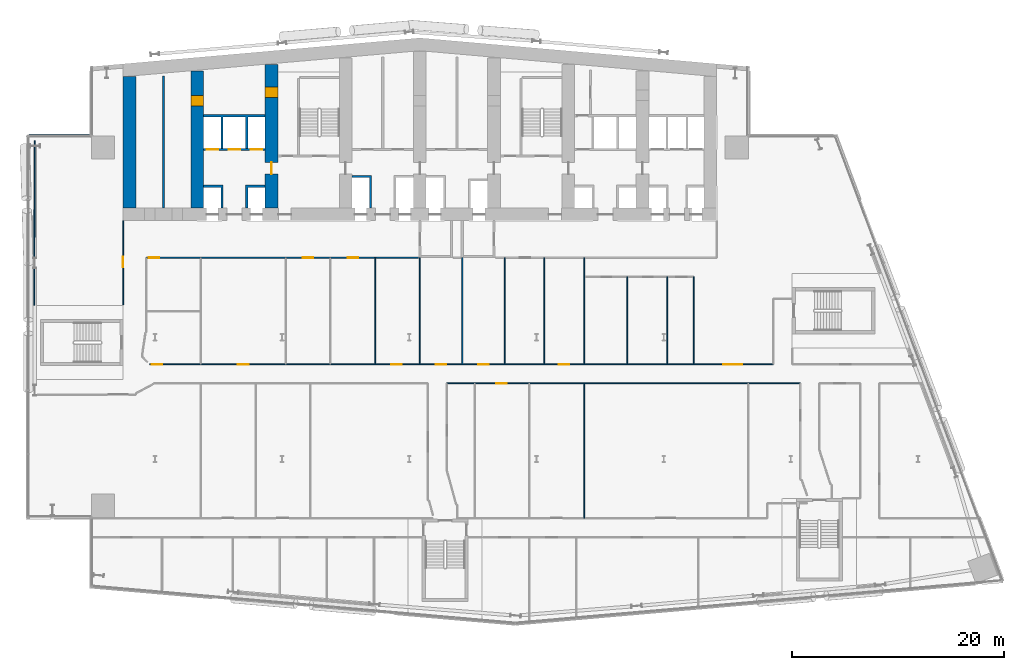
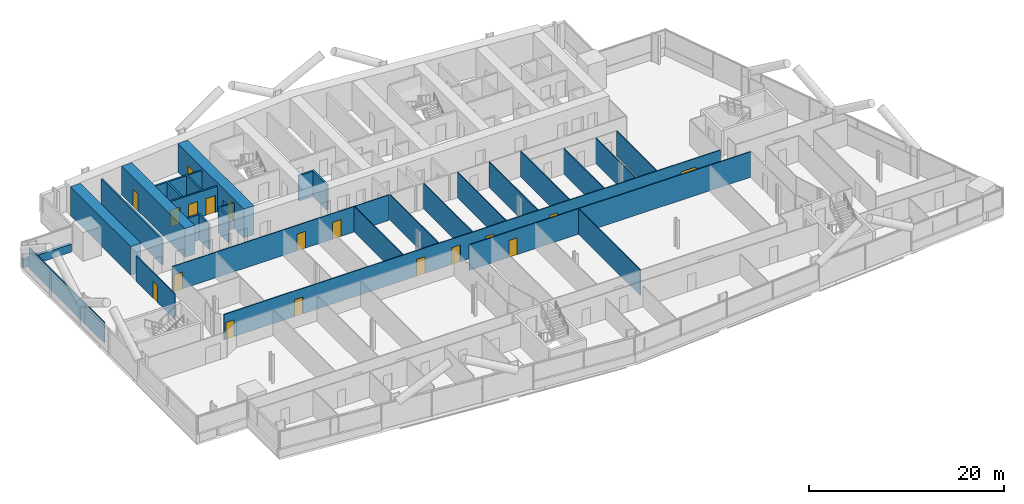
# One storey, part 16 of 28: 26 walls, 18 doors, 18 openings.
"""IFC4 building model written with IfcOpenShell, lengths in metres."""

from ifc_helpers import new_model, si_unit, direction, frame, frame_2d, origin, place, context, subcontext, project, spatial, polyline, rectangle, outline, extrude, material, layer, layer_set, type_object, element, fill, save


model = new_model("IFC4")

# Units and contexts
model_context = context("Model", 3, precision=1e-05, world=origin(), true_north=direction((0.0, 1.0)))
body_context = subcontext(model_context, "Body", "Model", "MODEL_VIEW")
ifc_project = project(units=[si_unit("LENGTHUNIT", "METRE"), si_unit("AREAUNIT", "SQUARE_METRE"), si_unit("VOLUMEUNIT", "CUBIC_METRE"), si_unit("PLANEANGLEUNIT", "RADIAN"), si_unit("MASSUNIT", "GRAM", prefix="KILO")], contexts=[model_context])

# Site, building, storey
site_placement = place(None, origin())
site = spatial("IfcSite", under=ifc_project, at=site_placement, CompositionType="ELEMENT")
building_placement = place(site_placement, origin())
building = spatial("IfcBuilding", under=site, at=building_placement, Name="Wharfspan Tower", CompositionType="ELEMENT")
storey_placement = place(building_placement, frame((0.0, 0.0, 59.5)))
storey = spatial("IfcBuildingStorey", under=building, at=storey_placement, Name="L11", CompositionType="ELEMENT", Elevation=59.5)

# Wall, opening, door
ifc_material_1 = material(Name="Gypsum board on steel studs", Category="steel")
ifc_layer_1 = layer(ifc_material_1, 0.100098)
ifc_layer_set_1 = layer_set([ifc_layer_1], Name="Gypsum board on steel studs")
wall_type_1 = type_object("IfcWallType", Name="Compartment wall 100 EI 60", PredefinedType="PARTITIONING", material=ifc_layer_set_1)
wall_1_placement = place(storey_placement, frame((9.0, 26.050049, 0.0), z_axis=(0.0, 0.0, 1.0), x_axis=(0.0, 1.0, 0.0)))
wall_1 = element("IfcWall", 1, at=wall_1_placement, inside=storey, type_object=wall_type_1, Name="Partition L11.w006", PredefinedType="PARTITIONING", context=body_context, shape_type="SweptSolid", body=[
    extrude(rectangle(XDim=7.929932, YDim=0.100098, at=frame_2d((3.964844, 0.0))), origin(), (0.0, 0.0, 1.0), 3.199951),
])
opening_1_placement = place(wall_1_placement, frame((3.530029, 0.0, 0.0)))
opening_1 = element("IfcOpeningElement", 2, at=opening_1_placement, cuts=wall_1, Name="Opening A2-35", PredefinedType="OPENING", context=body_context, shape_type="SweptSolid", body=[
    extrude(rectangle(XDim=1.0, YDim=2.100098, at=frame_2d((0.5, 1.050049))), frame((0.0, 0.060059, 0.0), z_axis=(0.0, -1.0, 0.0), x_axis=(1.0, 0.0, 0.0)), (0.0, 0.0, 1.0), 0.120117),
])
ifc_material_2 = material(Name="Fire-rated timber door leaf in steel frame", Category="steel")
door_type_1 = type_object("IfcDoorType", Name="Door 1000 FD30S Right", OperationType="SINGLE_SWING_RIGHT", PredefinedType="DOOR", material=ifc_material_2)
door_1_placement = place(opening_1_placement, origin())
door_1 = element("IfcDoor", 3, at=door_1_placement, inside=storey, type_object=door_type_1, Name="Door A2-35", OperationType="SINGLE_SWING_RIGHT", OverallHeight=2.100098, OverallWidth=1.0, PredefinedType="DOOR", context=body_context, shape_type="SweptSolid", body=[
    extrude(rectangle(XDim=1.0, YDim=2.100098, at=frame_2d((0.5, 1.050049))), frame((0.0, 0.024902, 0.0), z_axis=(0.0, -1.0, 0.0), x_axis=(1.0, 0.0, 0.0)), (0.0, 0.0, 1.0), 0.050049),
])
fill(opening_1, door_1)

# Wall, openings, doors
wall_2_placement = place(storey_placement, frame((11.199951, 30.5, 0.0), z_axis=(0.0, 0.0, 1.0), x_axis=(1.0, 0.0, 0.0)))
wall_2 = element("IfcWall", 4, at=wall_2_placement, inside=storey, type_object=wall_type_1, Name="Partition L11.w015", PredefinedType="PARTITIONING", context=body_context, shape_type="SweptSolid", body=[
    extrude(rectangle(XDim=25.650146, YDim=0.100098, at=frame_2d((12.825195, 0.0))), origin(), (0.0, 0.0, 1.0), 3.199951),
])
opening_2_placement = place(wall_2_placement, frame((0.195068, 0.0, 0.0)))
opening_2 = element("IfcOpeningElement", 5, at=opening_2_placement, cuts=wall_2, Name="Opening A2-36", PredefinedType="OPENING", context=body_context, shape_type="SweptSolid", body=[
    extrude(rectangle(XDim=1.0, YDim=2.100098, at=frame_2d((0.5, 1.050049))), frame((0.0, 0.060059, 0.0), z_axis=(0.0, -1.0, 0.0), x_axis=(1.0, 0.0, 0.0)), (0.0, 0.0, 1.0), 0.120117),
])
opening_3_placement = place(wall_2_placement, frame((14.754883, 0.0, 0.0)))
opening_3 = element("IfcOpeningElement", 6, at=opening_3_placement, cuts=wall_2, Name="Opening A2-37", PredefinedType="OPENING", context=body_context, shape_type="SweptSolid", body=[
    extrude(rectangle(XDim=1.0, YDim=2.100098, at=frame_2d((0.5, 1.050049))), frame((0.0, 0.060059, 0.0), z_axis=(0.0, -1.0, 0.0), x_axis=(1.0, 0.0, 0.0)), (0.0, 0.0, 1.0), 0.120117),
])
opening_4_placement = place(wall_2_placement, frame((18.975098, 0.0, 0.0)))
opening_4 = element("IfcOpeningElement", 7, at=opening_4_placement, cuts=wall_2, Name="Opening A2-38", PredefinedType="OPENING", context=body_context, shape_type="SweptSolid", body=[
    extrude(rectangle(XDim=1.0, YDim=2.100098, at=frame_2d((0.5, 1.050049))), frame((0.0, 0.060059, 0.0), z_axis=(0.0, -1.0, 0.0), x_axis=(1.0, 0.0, 0.0)), (0.0, 0.0, 1.0), 0.120117),
])
door_type_2 = type_object("IfcDoorType", Name="Door 1000 FD30S Left", OperationType="SINGLE_SWING_LEFT", PredefinedType="DOOR", material=ifc_material_2)
door_2_placement = place(opening_2_placement, origin())
door_2 = element("IfcDoor", 8, at=door_2_placement, inside=storey, type_object=door_type_2, Name="Door A2-36", OperationType="SINGLE_SWING_LEFT", OverallHeight=2.100098, OverallWidth=1.0, PredefinedType="DOOR", context=body_context, shape_type="SweptSolid", body=[
    extrude(rectangle(XDim=1.0, YDim=2.100098, at=frame_2d((0.5, 1.050049))), frame((0.0, 0.024902, 0.0), z_axis=(0.0, -1.0, 0.0), x_axis=(1.0, 0.0, 0.0)), (0.0, 0.0, 1.0), 0.050049),
])
fill(opening_2, door_2)
door_3_placement = place(opening_3_placement, origin())
door_3 = element("IfcDoor", 9, at=door_3_placement, inside=storey, type_object=door_type_2, Name="Door A2-37", OperationType="SINGLE_SWING_LEFT", OverallHeight=2.100098, OverallWidth=1.0, PredefinedType="DOOR", context=body_context, shape_type="SweptSolid", body=[
    extrude(rectangle(XDim=1.0, YDim=2.100098, at=frame_2d((0.5, 1.050049))), frame((0.0, 0.024902, 0.0), z_axis=(0.0, -1.0, 0.0), x_axis=(1.0, 0.0, 0.0)), (0.0, 0.0, 1.0), 0.050049),
])
fill(opening_3, door_3)
door_4_placement = place(opening_4_placement, origin())
door_4 = element("IfcDoor", 10, at=door_4_placement, inside=storey, type_object=door_type_2, Name="Door A2-38", OperationType="SINGLE_SWING_LEFT", OverallHeight=2.100098, OverallWidth=1.0, PredefinedType="DOOR", context=body_context, shape_type="SweptSolid", body=[
    extrude(rectangle(XDim=1.0, YDim=2.100098, at=frame_2d((0.5, 1.050049))), frame((0.0, 0.024902, 0.0), z_axis=(0.0, -1.0, 0.0), x_axis=(1.0, 0.0, 0.0)), (0.0, 0.0, 1.0), 0.050049),
])
fill(opening_4, door_4)

wall_3_placement = place(storey_placement, frame((11.504883, 20.445068, 0.0), z_axis=(0.0, 0.0, 1.0), x_axis=(1.0, 0.0, 0.0)))
wall_3 = element("IfcWall", 11, at=wall_3_placement, inside=storey, type_object=wall_type_1, Name="Partition L11.w017", PredefinedType="PARTITIONING", context=body_context, shape_type="SweptSolid", body=[
    extrude(rectangle(XDim=58.820068, YDim=0.100098, at=frame_2d((29.410156, 0.0))), origin(), (0.0, 0.0, 1.0), 3.199951),
])
opening_5_placement = place(wall_3_placement, frame((0.209961, 0.0, 0.0)))
opening_5 = element("IfcOpeningElement", 12, at=opening_5_placement, cuts=wall_3, Name="Opening A2-24", PredefinedType="OPENING", context=body_context, shape_type="SweptSolid", body=[
    extrude(rectangle(XDim=1.0, YDim=2.100098, at=frame_2d((0.5, 1.050049))), frame((0.0, 0.060059, 0.0), z_axis=(0.0, -1.0, 0.0), x_axis=(1.0, 0.0, 0.0)), (0.0, 0.0, 1.0), 0.120117),
])
opening_6_placement = place(wall_3_placement, frame((8.330078, 0.0, 0.0)))
opening_6 = element("IfcOpeningElement", 13, at=opening_6_placement, cuts=wall_3, Name="Opening A2-25", PredefinedType="OPENING", context=body_context, shape_type="SweptSolid", body=[
    extrude(rectangle(XDim=1.0, YDim=2.100098, at=frame_2d((0.5, 1.050049))), frame((0.0, 0.060059, 0.0), z_axis=(0.0, -1.0, 0.0), x_axis=(1.0, 0.0, 0.0)), (0.0, 0.0, 1.0), 0.120117),
])
opening_7_placement = place(wall_3_placement, frame((22.794922, 0.0, 0.0)))
opening_7 = element("IfcOpeningElement", 14, at=opening_7_placement, cuts=wall_3, Name="Opening A2-26", PredefinedType="OPENING", context=body_context, shape_type="SweptSolid", body=[
    extrude(rectangle(XDim=1.0, YDim=2.100098, at=frame_2d((0.5, 1.050049))), frame((0.0, 0.060059, 0.0), z_axis=(0.0, -1.0, 0.0), x_axis=(1.0, 0.0, 0.0)), (0.0, 0.0, 1.0), 0.120117),
])
opening_8_placement = place(wall_3_placement, frame((26.995117, 0.0, 0.0)))
opening_8 = element("IfcOpeningElement", 15, at=opening_8_placement, cuts=wall_3, Name="Opening A2-27", PredefinedType="OPENING", context=body_context, shape_type="SweptSolid", body=[
    extrude(rectangle(XDim=1.0, YDim=2.100098, at=frame_2d((0.5, 1.050049))), frame((0.0, 0.060059, 0.0), z_axis=(0.0, -1.0, 0.0), x_axis=(1.0, 0.0, 0.0)), (0.0, 0.0, 1.0), 0.120117),
])
opening_9_placement = place(wall_3_placement, frame((30.995117, 0.0, 0.0)))
opening_9 = element("IfcOpeningElement", 16, at=opening_9_placement, cuts=wall_3, Name="Opening A2-28", PredefinedType="OPENING", context=body_context, shape_type="SweptSolid", body=[
    extrude(rectangle(XDim=1.0, YDim=2.100098, at=frame_2d((0.5, 1.050049))), frame((0.0, 0.060059, 0.0), z_axis=(0.0, -1.0, 0.0), x_axis=(1.0, 0.0, 0.0)), (0.0, 0.0, 1.0), 0.120117),
])
opening_10_placement = place(wall_3_placement, frame((38.574951, 0.0, 0.0)))
opening_10 = element("IfcOpeningElement", 17, at=opening_10_placement, cuts=wall_3, Name="Opening A2-29", PredefinedType="OPENING", context=body_context, shape_type="SweptSolid", body=[
    extrude(rectangle(XDim=1.0, YDim=2.100098, at=frame_2d((0.5, 1.050049))), frame((0.0, 0.060059, 0.0), z_axis=(0.0, -1.0, 0.0), x_axis=(1.0, 0.0, 0.0)), (0.0, 0.0, 1.0), 0.120117),
])
opening_11_placement = place(wall_3_placement, frame((54.120117, 0.0, 0.0)))
opening_11 = element("IfcOpeningElement", 18, at=opening_11_placement, cuts=wall_3, Name="Opening A2-30", PredefinedType="OPENING", context=body_context, shape_type="SweptSolid", body=[
    extrude(rectangle(XDim=1.800049, YDim=2.100098, at=frame_2d((0.899902, 1.050049))), frame((0.0, 0.060059, 0.0), z_axis=(0.0, -1.0, 0.0), x_axis=(1.0, 0.0, 0.0)), (0.0, 0.0, 1.0), 0.120117),
])
door_5_placement = place(opening_5_placement, origin())
door_5 = element("IfcDoor", 19, at=door_5_placement, inside=storey, type_object=door_type_2, Name="Door A2-24", OperationType="SINGLE_SWING_LEFT", OverallHeight=2.100098, OverallWidth=1.0, PredefinedType="DOOR", context=body_context, shape_type="SweptSolid", body=[
    extrude(rectangle(XDim=1.0, YDim=2.100098, at=frame_2d((0.5, 1.050049))), frame((0.0, 0.024902, 0.0), z_axis=(0.0, -1.0, 0.0), x_axis=(1.0, 0.0, 0.0)), (0.0, 0.0, 1.0), 0.050049),
])
fill(opening_5, door_5)
door_6_placement = place(opening_6_placement, origin())
door_6 = element("IfcDoor", 20, at=door_6_placement, inside=storey, type_object=door_type_2, Name="Door A2-25", OperationType="SINGLE_SWING_LEFT", OverallHeight=2.100098, OverallWidth=1.0, PredefinedType="DOOR", context=body_context, shape_type="SweptSolid", body=[
    extrude(rectangle(XDim=1.0, YDim=2.100098, at=frame_2d((0.5, 1.050049))), frame((0.0, 0.024902, 0.0), z_axis=(0.0, -1.0, 0.0), x_axis=(1.0, 0.0, 0.0)), (0.0, 0.0, 1.0), 0.050049),
])
fill(opening_6, door_6)
door_7_placement = place(opening_7_placement, origin())
door_7 = element("IfcDoor", 21, at=door_7_placement, inside=storey, type_object=door_type_2, Name="Door A2-26", OperationType="SINGLE_SWING_LEFT", OverallHeight=2.100098, OverallWidth=1.0, PredefinedType="DOOR", context=body_context, shape_type="SweptSolid", body=[
    extrude(rectangle(XDim=1.0, YDim=2.100098, at=frame_2d((0.5, 1.050049))), frame((0.0, 0.024902, 0.0), z_axis=(0.0, -1.0, 0.0), x_axis=(1.0, 0.0, 0.0)), (0.0, 0.0, 1.0), 0.050049),
])
fill(opening_7, door_7)
door_8_placement = place(opening_8_placement, origin())
door_8 = element("IfcDoor", 22, at=door_8_placement, inside=storey, type_object=door_type_2, Name="Door A2-27", OperationType="SINGLE_SWING_LEFT", OverallHeight=2.100098, OverallWidth=1.0, PredefinedType="DOOR", context=body_context, shape_type="SweptSolid", body=[
    extrude(rectangle(XDim=1.0, YDim=2.100098, at=frame_2d((0.5, 1.050049))), frame((0.0, 0.024902, 0.0), z_axis=(0.0, -1.0, 0.0), x_axis=(1.0, 0.0, 0.0)), (0.0, 0.0, 1.0), 0.050049),
])
fill(opening_8, door_8)
door_9_placement = place(opening_9_placement, origin())
door_9 = element("IfcDoor", 23, at=door_9_placement, inside=storey, type_object=door_type_1, Name="Door A2-28", OperationType="SINGLE_SWING_RIGHT", OverallHeight=2.100098, OverallWidth=1.0, PredefinedType="DOOR", context=body_context, shape_type="SweptSolid", body=[
    extrude(rectangle(XDim=1.0, YDim=2.100098, at=frame_2d((0.5, 1.050049))), frame((0.0, 0.024902, 0.0), z_axis=(0.0, -1.0, 0.0), x_axis=(1.0, 0.0, 0.0)), (0.0, 0.0, 1.0), 0.050049),
])
fill(opening_9, door_9)
door_10_placement = place(opening_10_placement, origin())
door_10 = element("IfcDoor", 24, at=door_10_placement, inside=storey, type_object=door_type_1, Name="Door A2-29", OperationType="SINGLE_SWING_RIGHT", OverallHeight=2.100098, OverallWidth=1.0, PredefinedType="DOOR", context=body_context, shape_type="SweptSolid", body=[
    extrude(rectangle(XDim=1.0, YDim=2.100098, at=frame_2d((0.5, 1.050049))), frame((0.0, 0.024902, 0.0), z_axis=(0.0, -1.0, 0.0), x_axis=(1.0, 0.0, 0.0)), (0.0, 0.0, 1.0), 0.050049),
])
fill(opening_10, door_10)
door_type_3 = type_object("IfcDoorType", Name="Door 1800 FD30S Double", OperationType="DOUBLE_DOOR_SINGLE_SWING", PredefinedType="DOOR", material=ifc_material_2)
door_11_placement = place(opening_11_placement, origin())
door_11 = element("IfcDoor", 25, at=door_11_placement, inside=storey, type_object=door_type_3, Name="Door A2-30", OperationType="DOUBLE_DOOR_SINGLE_SWING", OverallHeight=2.100098, OverallWidth=1.800049, PredefinedType="DOOR", context=body_context, shape_type="SweptSolid", body=[
    extrude(rectangle(XDim=1.800049, YDim=2.100098, at=frame_2d((0.899902, 1.050049))), frame((0.0, 0.024902, 0.0), z_axis=(0.0, -1.0, 0.0), x_axis=(1.0, 0.0, 0.0)), (0.0, 0.0, 1.0), 0.050049),
])
fill(opening_11, door_11)

# Walls
for number, where, z_axis, x_axis, name in (
    (26, (32.780029, 20.445068, 0.0), (0.0, 0.0, 1.0), (0.0, 1.0, 0.0), "Partition L11.w032"),
    (27, (37.0, 20.445068, 0.0), (0.0, 0.0, 1.0), (0.0, 1.0, 0.0), "Partition L11.w033"),
):
    element("IfcWall", number, at=place(storey_placement, frame(where, z_axis=z_axis, x_axis=x_axis)), inside=storey, type_object=wall_type_1, Name=name, PredefinedType="PARTITIONING", context=body_context, shape_type="SweptSolid", body=[
        extrude(rectangle(XDim=10.054932, YDim=0.100098, at=frame_2d((5.027344, 0.0))), origin(), (0.0, 0.0, 1.0), 3.199951),
    ])

# Wall, opening, door
wall_4_placement = place(storey_placement, frame((39.550049, 18.639893, 0.0), z_axis=(0.0, 0.0, 1.0), x_axis=(1.0, 0.0, 0.0)))
wall_4 = element("IfcWall", 28, at=wall_4_placement, inside=storey, type_object=wall_type_1, Name="Partition L11.w038", PredefinedType="PARTITIONING", context=body_context, shape_type="SweptSolid", body=[
    extrude(rectangle(XDim=33.339844, YDim=0.100098, at=frame_2d((16.669922, 0.0))), origin(), (0.0, 0.0, 1.0), 3.199951),
])
opening_12_placement = place(wall_4_placement, frame((4.64502, 0.0, 0.0)))
opening_12 = element("IfcOpeningElement", 29, at=opening_12_placement, cuts=wall_4, Name="Opening A2-22", PredefinedType="OPENING", context=body_context, shape_type="SweptSolid", body=[
    extrude(rectangle(XDim=1.0, YDim=2.100098, at=frame_2d((0.5, 1.050049))), frame((0.0, 0.060059, 0.0), z_axis=(0.0, -1.0, 0.0), x_axis=(1.0, 0.0, 0.0)), (0.0, 0.0, 1.0), 0.120117),
])
door_12_placement = place(opening_12_placement, origin())
door_12 = element("IfcDoor", 30, at=door_12_placement, inside=storey, type_object=door_type_2, Name="Door A2-22", OperationType="SINGLE_SWING_LEFT", OverallHeight=2.100098, OverallWidth=1.0, PredefinedType="DOOR", context=body_context, shape_type="SweptSolid", body=[
    extrude(rectangle(XDim=1.0, YDim=2.100098, at=frame_2d((0.5, 1.050049))), frame((0.0, 0.024902, 0.0), z_axis=(0.0, -1.0, 0.0), x_axis=(1.0, 0.0, 0.0)), (0.0, 0.0, 1.0), 0.050049),
])
fill(opening_12, door_12)

# Walls
for number, where, z_axis, x_axis, name in (
    (31, (41.0, 20.445068, 0.0), (0.0, 0.0, 1.0), (0.0, 1.0, 0.0), "Partition L11.w043"),
    (32, (45.0, 20.445068, 0.0), (0.0, 0.0, 1.0), (0.0, 1.0, 0.0), "Partition L11.w046"),
    (33, (48.75, 20.445068, 0.0), (0.0, 0.0, 1.0), (0.0, 1.0, 0.0), "Partition L11.w049"),
):
    element("IfcWall", number, at=place(storey_placement, frame(where, z_axis=z_axis, x_axis=x_axis)), inside=storey, type_object=wall_type_1, Name=name, PredefinedType="PARTITIONING", context=body_context, shape_type="SweptSolid", body=[
        extrude(rectangle(XDim=10.054932, YDim=0.100098, at=frame_2d((5.027344, 0.0))), origin(), (0.0, 0.0, 1.0), 3.199951),
    ])
wall_5_placement = place(storey_placement, frame((52.5, 5.929932, 0.0), z_axis=(0.0, 0.0, 1.0), x_axis=(0.0, 1.0, 0.0)))
element("IfcWall", 34, at=wall_5_placement, inside=storey, type_object=wall_type_1, Name="Partition L11.w051", PredefinedType="PARTITIONING", context=body_context, shape_type="SweptSolid", body=[
    extrude(rectangle(XDim=12.709961, YDim=0.100098, at=frame_2d((6.35498, 0.0))), origin(), (0.0, 0.0, 1.0), 3.199951),
])
wall_6_placement = place(storey_placement, frame((52.5, 20.445068, 0.0), z_axis=(0.0, 0.0, 1.0), x_axis=(0.0, 1.0, 0.0)))
element("IfcWall", 35, at=wall_6_placement, inside=storey, type_object=wall_type_1, Name="Partition L11.w052", PredefinedType="PARTITIONING", context=body_context, shape_type="SweptSolid", body=[
    extrude(rectangle(XDim=10.044922, YDim=0.100098, at=frame_2d((5.022461, 0.0))), origin(), (0.0, 0.0, 1.0), 3.199951),
])
for number, where, z_axis, x_axis, name in (
    (36, (56.584961, 20.445068, 0.0), (0.0, 0.0, 1.0), (0.0, 1.0, 0.0), "Partition L11.w054"),
    (37, (60.35498, 20.445068, 0.0), (0.0, 0.0, 1.0), (0.0, 1.0, 0.0), "Partition L11.w055"),
    (38, (62.834961, 20.445068, 0.0), (0.0, 0.0, 1.0), (0.0, 1.0, 0.0), "Partition L11.w056"),
):
    element("IfcWall", number, at=place(storey_placement, frame(where, z_axis=z_axis, x_axis=x_axis)), inside=storey, type_object=wall_type_1, Name=name, PredefinedType="PARTITIONING", context=body_context, shape_type="SweptSolid", body=[
        extrude(rectangle(XDim=8.254883, YDim=0.100098, at=frame_2d((4.127441, 0.0))), origin(), (0.0, 0.0, 1.0), 3.199951),
    ])
ifc_material_3 = material(Name="Calcium silicate masonry", Category="masonry")
ifc_layer_2 = layer(ifc_material_3, 0.199951)
ifc_layer_set_2 = layer_set([ifc_layer_2], Name="Calcium silicate masonry")
wall_type_2 = type_object("IfcWallType", Name="Core room wall 200", PredefinedType="PARTITIONING", material=ifc_layer_set_2)
wall_7_placement = place(storey_placement, frame((12.800049, 35.199951, 0.0), z_axis=(0.0, 0.0, 1.0), x_axis=(0.0, 1.0, 0.0)))
element("IfcWall", 39, at=wall_7_placement, inside=storey, type_object=wall_type_2, Name="sw:L11:RM0", PredefinedType="PARTITIONING", context=body_context, shape_type="SweptSolid", body=[
    extrude(rectangle(XDim=12.467773, YDim=0.199951, at=frame_2d((6.233887, 0.0))), origin(), (0.0, 0.0, 1.0), 3.199951),
])
ifc_material_4 = material(Name="Concrete C70/85", Category="concrete")
ifc_layer_3 = layer(ifc_material_4, 1.199951)
ifc_layer_set_3 = layer_set([ifc_layer_3], Name="Concrete C70/85")
wall_type_3 = type_object("IfcWallType", Name="Core wall 1200 C70/85", PredefinedType="SHEAR", material=ifc_layer_set_3)
wall_8_placement = place(storey_placement, frame((9.600098, 35.199951, 0.0), z_axis=(0.0, 0.0, 1.0), x_axis=(0.0, 1.0, 0.0)))
element("IfcWall", 40, at=wall_8_placement, inside=storey, type_object=wall_type_3, Name="Core cross wall EW0 L11", PredefinedType="SHEAR", context=body_context, shape_type="SweptSolid", body=[
    extrude(rectangle(XDim=12.382812, YDim=1.199951, at=frame_2d((6.191406, 0.0))), origin(), (0.0, 0.0, 1.0), 3.600098),
])

# Wall, opening, door
wall_9_placement = place(storey_placement, frame((16.0, 35.199951, 0.0), z_axis=(0.0, 0.0, 1.0), x_axis=(0.0, 1.0, 0.0)))
wall_9 = element("IfcWall", 41, at=wall_9_placement, inside=storey, type_object=wall_type_3, Name="Core cross wall X1 L11", PredefinedType="SHEAR", context=body_context, shape_type="SweptSolid", body=[
    extrude(rectangle(XDim=12.942871, YDim=1.199951, at=frame_2d((6.471436, 0.0))), origin(), (0.0, 0.0, 1.0), 3.600098),
])
opening_13_placement = place(wall_9_placement, frame((9.600098, 0.0, 0.0)))
opening_13 = element("IfcOpeningElement", 42, at=opening_13_placement, cuts=wall_9, Name="Opening CR11.1", PredefinedType="OPENING", context=body_context, shape_type="SweptSolid", body=[
    extrude(rectangle(XDim=1.0, YDim=2.100098, at=frame_2d((0.5, 1.050049))), frame((0.0, 0.609863, 0.0), z_axis=(0.0, -1.0, 0.0), x_axis=(1.0, 0.0, 0.0)), (0.0, 0.0, 1.0), 1.219971),
])
ifc_material_5 = material(Name="Steel door leaf", Category="steel")
door_type_4 = type_object("IfcDoorType", Name="Core room door 1000x2100", OperationType="SINGLE_SWING_LEFT", PredefinedType="DOOR", material=ifc_material_5)
door_13_placement = place(opening_13_placement, origin())
door_13 = element("IfcDoor", 43, at=door_13_placement, inside=storey, type_object=door_type_4, Name="xr:L11:1", OperationType="SINGLE_SWING_RIGHT", OverallHeight=2.100098, OverallWidth=1.0, PredefinedType="DOOR", context=body_context, shape_type="SweptSolid", body=[
    extrude(rectangle(XDim=1.0, YDim=2.100098, at=frame_2d((0.5, 1.050049))), frame((0.0, 0.599609, 0.0), z_axis=(0.0, -1.0, 0.0), x_axis=(1.0, 0.0, 0.0)), (0.0, 0.0, 1.0), 1.199463),
])
fill(opening_13, door_13)

# Wall, openings, doors
wall_10_placement = place(storey_placement, frame((23.0, 35.199951, 0.0), z_axis=(0.0, 0.0, 1.0), x_axis=(0.0, 1.0, 0.0)))
wall_10 = element("IfcWall", 44, at=wall_10_placement, inside=storey, type_object=wall_type_3, Name="Core cross wall X2 L11", PredefinedType="SHEAR", context=body_context, shape_type="SweptSolid", body=[
    extrude(rectangle(XDim=13.555176, YDim=1.199951, at=frame_2d((6.777588, 0.0))), origin(), (0.0, 0.0, 1.0), 3.600098),
])
opening_14_placement = place(wall_10_placement, frame((10.413818, 0.0, 0.0)))
opening_14 = element("IfcOpeningElement", 45, at=opening_14_placement, cuts=wall_10, Name="Opening CD11.1X", PredefinedType="OPENING", context=body_context, shape_type="SweptSolid", body=[
    extrude(rectangle(XDim=1.0, YDim=2.100098, at=frame_2d((0.5, 1.050049))), frame((0.0, 0.609863, 0.0), z_axis=(0.0, -1.0, 0.0), x_axis=(1.0, 0.0, 0.0)), (0.0, 0.0, 1.0), 1.219971),
])
opening_15_placement = place(wall_10_placement, frame((3.199951, 0.0, 0.0)))
opening_15 = element("IfcOpeningElement", 46, at=opening_15_placement, cuts=wall_10, Name="Opening CC11.2", PredefinedType="OPENING", context=body_context, shape_type="SweptSolid", body=[
    extrude(rectangle(XDim=1.100098, YDim=2.100098, at=frame_2d((0.550049, 1.050049))), frame((0.0, 0.609863, 0.0), z_axis=(0.0, -1.0, 0.0), x_axis=(1.0, 0.0, 0.0)), (0.0, 0.0, 1.0), 1.219971),
])
door_type_5 = type_object("IfcDoorType", Name="Core corridor door 1100x2100", OperationType="SINGLE_SWING_LEFT", PredefinedType="DOOR", material=ifc_material_5)
door_14_placement = place(opening_15_placement, origin())
door_14 = element("IfcDoor", 47, at=door_14_placement, inside=storey, type_object=door_type_5, Name="xd:L11:2", OperationType="SINGLE_SWING_RIGHT", OverallHeight=2.100098, OverallWidth=1.100098, PredefinedType="DOOR", context=body_context, shape_type="SweptSolid", body=[
    extrude(rectangle(XDim=1.100098, YDim=2.100098, at=frame_2d((0.550049, 1.050049))), frame((0.0, 0.024902, 0.0), z_axis=(0.0, -1.0, 0.0), x_axis=(1.0, 0.0, 0.0)), (0.0, 0.0, 1.0), 0.050049),
])
fill(opening_15, door_14)
door_15_placement = place(opening_14_placement, origin())
door_15 = element("IfcDoor", 48, at=door_15_placement, inside=storey, type_object=door_type_4, Name="d:L11:1:sx", OperationType="SINGLE_SWING_LEFT", OverallHeight=2.100098, OverallWidth=1.0, PredefinedType="DOOR", context=body_context, shape_type="SweptSolid", body=[
    extrude(rectangle(XDim=1.0, YDim=2.100098, at=frame_2d((0.5, 1.050049))), frame((0.0, 0.599609, 0.0), z_axis=(0.0, -1.0, 0.0), x_axis=(1.0, 0.0, 0.0)), (0.0, 0.0, 1.0), 1.199463),
])
fill(opening_14, door_15)

ifc_material_6 = material(Name="Concrete C30/37", Category="concrete")
ifc_layer_4 = layer(ifc_material_6, 0.199951)
ifc_layer_set_4 = layer_set([ifc_layer_4], Name="Concrete C30/37")
wall_type_4 = type_object("IfcWallType", Name="Lift shaft wall 200", PredefinedType="PARTITIONING", material=ifc_layer_set_4)
wall_11_placement = place(storey_placement, frame((16.600098, 40.699951, 0.0), z_axis=(0.0, 0.0, 1.0), x_axis=(1.0, 0.0, 0.0)))
wall_11 = element("IfcWall", 49, at=wall_11_placement, inside=storey, type_object=wall_type_4, Name="sw:L11:RF1", PredefinedType="PARTITIONING", context=body_context, shape_type="SweptSolid", body=[
    extrude(rectangle(XDim=5.799805, YDim=0.199951, at=frame_2d((2.899902, 0.0))), origin(), (0.0, 0.0, 1.0), 3.199951),
])
opening_16_placement = place(wall_11_placement, frame((0.266602, 0.0, 0.0)))
opening_16 = element("IfcOpeningElement", 50, at=opening_16_placement, cuts=wall_11, Name="Opening LD.LA3.L11", PredefinedType="OPENING", context=body_context, shape_type="SweptSolid", body=[
    extrude(rectangle(XDim=1.100098, YDim=2.100098, at=frame_2d((0.550049, 1.050049))), frame((0.0, 0.109863, 0.0), z_axis=(0.0, -1.0, 0.0), x_axis=(1.0, 0.0, 0.0)), (0.0, 0.0, 1.0), 0.219971),
])
opening_17_placement = place(wall_11_placement, frame((2.350098, 0.0, 0.0)))
opening_17 = element("IfcOpeningElement", 51, at=opening_17_placement, cuts=wall_11, Name="Opening LD.LA4.L11", PredefinedType="OPENING", context=body_context, shape_type="SweptSolid", body=[
    extrude(rectangle(XDim=1.100098, YDim=2.100098, at=frame_2d((0.550049, 1.050049))), frame((0.0, 0.109863, 0.0), z_axis=(0.0, -1.0, 0.0), x_axis=(1.0, 0.0, 0.0)), (0.0, 0.0, 1.0), 0.219971),
])
opening_18_placement = place(wall_11_placement, frame((4.43335, 0.0, 0.0)))
opening_18 = element("IfcOpeningElement", 52, at=opening_18_placement, cuts=wall_11, Name="Opening LD.LA5.L11", PredefinedType="OPENING", context=body_context, shape_type="SweptSolid", body=[
    extrude(rectangle(XDim=1.100098, YDim=2.100098, at=frame_2d((0.550049, 1.050049))), frame((0.0, 0.109863, 0.0), z_axis=(0.0, -1.0, 0.0), x_axis=(1.0, 0.0, 0.0)), (0.0, 0.0, 1.0), 0.219971),
])
ifc_material_7 = material(Name="Stainless steel", Category="steel")
door_type_6 = type_object("IfcDoorType", Name="Lift landing door 1100x2100", OperationType="DOUBLE_DOOR_SLIDING", PredefinedType="DOOR", material=ifc_material_7)
door_16_placement = place(opening_16_placement, origin())
door_16 = element("IfcDoor", 53, at=door_16_placement, inside=storey, type_object=door_type_6, Name="Landing door LA3 L11", OperationType="DOUBLE_DOOR_SLIDING", OverallHeight=2.100098, OverallWidth=1.100098, PredefinedType="DOOR", context=body_context, shape_type="SweptSolid", body=[
    extrude(rectangle(XDim=1.100098, YDim=2.100098, at=frame_2d((0.550049, 1.050049))), frame((0.0, 0.024902, 0.0), z_axis=(0.0, -1.0, 0.0), x_axis=(1.0, 0.0, 0.0)), (0.0, 0.0, 1.0), 0.050049),
])
fill(opening_16, door_16)
door_17_placement = place(opening_17_placement, origin())
door_17 = element("IfcDoor", 54, at=door_17_placement, inside=storey, type_object=door_type_6, Name="Landing door LA4 L11", OperationType="DOUBLE_DOOR_SLIDING", OverallHeight=2.100098, OverallWidth=1.100098, PredefinedType="DOOR", context=body_context, shape_type="SweptSolid", body=[
    extrude(rectangle(XDim=1.100098, YDim=2.100098, at=frame_2d((0.550049, 1.050049))), frame((0.0, 0.024902, 0.0), z_axis=(0.0, -1.0, 0.0), x_axis=(1.0, 0.0, 0.0)), (0.0, 0.0, 1.0), 0.050049),
])
fill(opening_17, door_17)
door_18_placement = place(opening_18_placement, origin())
door_18 = element("IfcDoor", 55, at=door_18_placement, inside=storey, type_object=door_type_6, Name="Landing door LA5 L11", OperationType="DOUBLE_DOOR_SLIDING", OverallHeight=2.100098, OverallWidth=1.100098, PredefinedType="DOOR", context=body_context, shape_type="SweptSolid", body=[
    extrude(rectangle(XDim=1.100098, YDim=2.100098, at=frame_2d((0.550049, 1.050049))), frame((0.0, 0.024902, 0.0), z_axis=(0.0, -1.0, 0.0), x_axis=(1.0, 0.0, 0.0)), (0.0, 0.0, 1.0), 0.050049),
])
fill(opening_18, door_18)

# Walls
wall_12_placement = place(storey_placement, frame((0.0, 0.0, -0.000244)))
element("IfcWall", 56, at=wall_12_placement, inside=storey, type_object=wall_type_4, Name="sw:L11:FM1.0", PredefinedType="PARTITIONING", context=body_context, shape_type="SweptSolid", body=[
    extrude(outline(polyline([(18.233398, 37.149902), (16.600098, 37.149902), (16.600098, 37.350098), (18.233398, 37.350098), (18.43335, 37.350098), (18.43335, 35.199951), (18.233398, 35.199951), (18.233398, 37.149902)])), origin(), (0.0, 0.0, 1.0), 3.200195),
])
wall_13_placement = place(storey_placement, frame((0.0, 0.0, -0.000244)))
element("IfcWall", 57, at=wall_13_placement, inside=storey, type_object=wall_type_4, Name="sw:L11:FM1.1", PredefinedType="PARTITIONING", context=body_context, shape_type="SweptSolid", body=[
    extrude(outline(polyline([(20.56665, 37.350098), (20.766602, 37.350098), (22.399902, 37.350098), (22.399902, 37.149902), (20.766602, 37.149902), (20.766602, 35.199951), (20.56665, 35.199951), (20.56665, 37.350098)])), origin(), (0.0, 0.0, 1.0), 3.200195),
])
wall_14_placement = place(storey_placement, frame((0.0, 0.0, -0.000244)))
element("IfcWall", 58, at=wall_14_placement, inside=storey, type_object=wall_type_4, Name="sw:L11:RM1.0", PredefinedType="PARTITIONING", context=body_context, shape_type="SweptSolid", body=[
    extrude(outline(polyline([(18.43335, 40.800049), (18.233398, 40.800049), (18.233398, 43.800049), (16.600098, 43.800049), (16.600098, 44.0), (22.399902, 44.0), (22.399902, 43.800049), (20.766602, 43.800049), (20.766602, 40.800049), (20.56665, 40.800049), (20.56665, 43.800049), (18.43335, 43.800049), (18.43335, 40.800049)])), origin(), (0.0, 0.0, 1.0), 3.200195),
])
wall_15_placement = place(storey_placement, frame((0.0, 0.0, -0.000244)))
element("IfcWall", 59, at=wall_15_placement, inside=storey, type_object=wall_type_4, Name="sw:L11:FM3.0", PredefinedType="PARTITIONING", context=body_context, shape_type="SweptSolid", body=[
    extrude(outline(polyline([(32.233398, 38.050049), (30.600098, 38.050049), (30.600098, 38.25), (32.233398, 38.25), (32.43335, 38.25), (32.43335, 35.199951), (32.233398, 35.199951), (32.233398, 38.050049)])), origin(), (0.0, 0.0, 1.0), 3.200195),
])
ifc_layer_5 = layer(ifc_material_1, 0.100098)
ifc_layer_set_5 = layer_set([ifc_layer_5], Name="Gypsum board on steel studs")
wall_type_5 = type_object("IfcWallType", Name="Partition 100", PredefinedType="PARTITIONING", material=ifc_layer_set_5)
wall_16_placement = place(storey_placement, frame((0.629883, 26.02002, 0.0), z_axis=(0.0, 0.0, 1.0), x_axis=(0.0, 1.0, 0.0)))
element("IfcWall", 60, at=wall_16_placement, inside=storey, type_object=wall_type_5, Name="Partition L11.w002", PredefinedType="PARTITIONING", context=body_context, shape_type="SweptSolid", body=[
    extrude(rectangle(XDim=3.97998, YDim=0.100098, at=frame_2d((1.98999, 0.0))), origin(), (0.0, 0.0, 1.0), 2.580078),
])
wall_17_placement = place(storey_placement, frame((0.629883, 30.0, 0.0), z_axis=(0.0, 0.0, 1.0), x_axis=(0.00218, 0.999994, 0.0)))
element("IfcWall", 61, at=wall_17_placement, inside=storey, type_object=wall_type_5, Name="Partition L11.w003", PredefinedType="PARTITIONING", context=body_context, shape_type="SweptSolid", body=[
    extrude(rectangle(XDim=11.534912, YDim=0.100098, at=frame_2d((5.767578, 0.0))), origin(), (0.0, 0.0, 1.0), 2.580078),
])
ifc_material_8 = material(Name="Concrete C40/50", Category="concrete")
ifc_layer_6 = layer(ifc_material_8, 0.350098)
ifc_layer_set_6 = layer_set([ifc_layer_6], Name="Concrete C40/50")
wall_type_6 = type_object("IfcWallType", Name="SPANDREL EXPOSED CONCRETE 350", PredefinedType="SOLIDWALL", material=ifc_layer_set_6)
wall_18_placement = place(storey_placement, frame((5.820068, 42.004883, 0.0), z_axis=(0.0, 0.0, 1.0), x_axis=(-1.0, 0.0, 0.0)))
element("IfcWall", 62, at=wall_18_placement, inside=storey, type_object=wall_type_6, Name="Spandrel upstand L11 NRW-H", PredefinedType="SOLIDWALL", context=body_context, shape_type="SweptSolid", body=[
    extrude(rectangle(XDim=5.699951, YDim=0.350098, at=frame_2d((2.850098, 0.0))), origin(), (0.0, 0.0, 1.0), 1.0),
])

save(model, "model.ifc")
